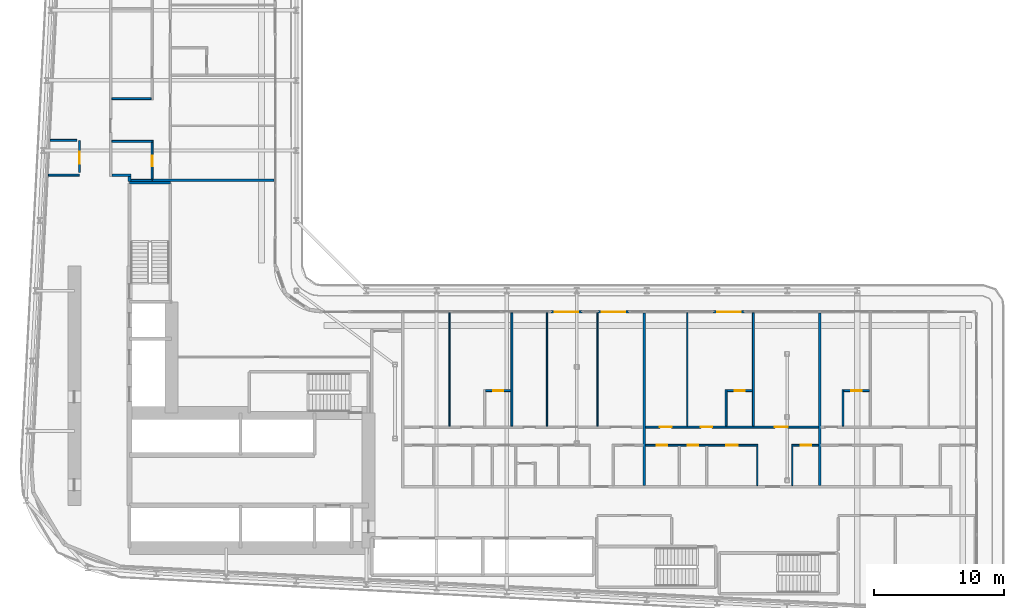
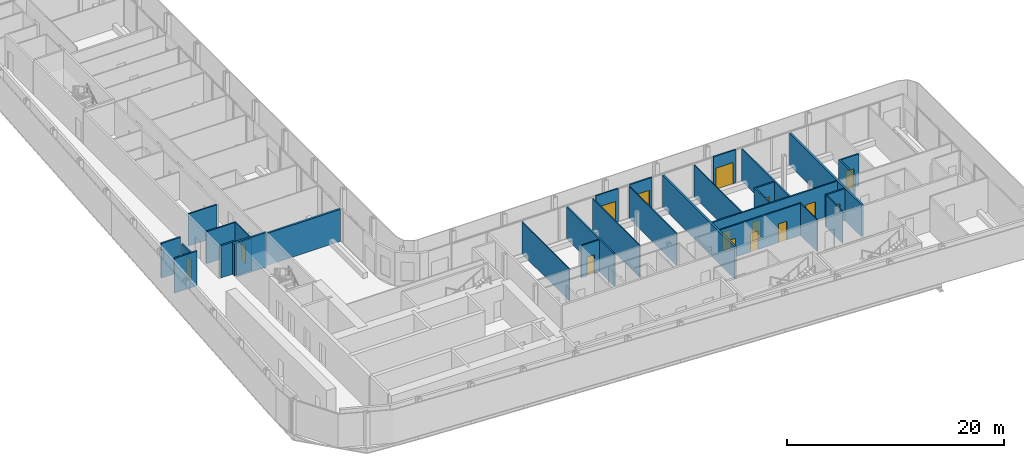
# One storey, part 17 of 29: 32 walls, 15 doors, 15 openings.
"""IFC4 building model written with IfcOpenShell, lengths in metres."""

from ifc_helpers import new_model, si_unit, direction, frame, frame_2d, origin, place, context, subcontext, project, spatial, rectangle, extrude, source, transform, mapped, material, layer, layer_set, type_object, element, fill, save


model = new_model("IFC4")

# Units and contexts
model_context = context("Model", 3, precision=1e-05, world=origin(), true_north=direction((0.0, 1.0)))
body_context = subcontext(model_context, "Body", "Model", "MODEL_VIEW")
ifc_project = project(units=[si_unit("LENGTHUNIT", "METRE"), si_unit("AREAUNIT", "SQUARE_METRE"), si_unit("VOLUMEUNIT", "CUBIC_METRE"), si_unit("PLANEANGLEUNIT", "RADIAN"), si_unit("MASSUNIT", "GRAM", prefix="KILO")], contexts=[model_context])

# Site, building, storey
site_placement = place(None, origin())
site = spatial("IfcSite", under=ifc_project, at=site_placement, CompositionType="ELEMENT")
building_placement = place(site_placement, origin())
building = spatial("IfcBuilding", under=site, at=building_placement, Name="Kheshtan School and Residences Tower", CompositionType="ELEMENT")
storey_placement = place(building_placement, frame((0.0, 0.0, 65.60009765625)))
storey = spatial("IfcBuildingStorey", under=building, at=storey_placement, Name="L15", CompositionType="ELEMENT", Elevation=65.60009765625)

# Walls
ifc_material_1 = material(Name="Gypsum board on steel studs with fire boards", Category="steel")
ifc_layer_1 = layer(ifc_material_1, 0.199951171875)
ifc_layer_set_1 = layer_set([ifc_layer_1], Name="Corridor wall 200")
wall_type_1 = type_object("IfcWallType", Name="Corridor wall 200", PredefinedType="PARTITIONING", material=ifc_layer_set_1)
wall_1_placement = place(storey_placement, frame((33.39990234375, 54.5, 0.0), z_axis=(0.0, 0.0, 1.0), x_axis=(1.0, 0.0, 0.0)))
element("IfcWall", 1, at=wall_1_placement, inside=storey, type_object=wall_type_1, Name="Partition L15-005", PredefinedType="PARTITIONING", context=body_context, shape_type="SweptSolid", body=[
    extrude(rectangle(XDim=1.4501953125, YDim=0.199951171875, at=frame_2d((0.72509765625, 0.0))), origin(), (0.0, 0.0, 1.0), 3.599853515625),
])
wall_2_placement = place(storey_placement, frame((34.75, 54.02490234375, 0.0), z_axis=(0.0, 0.0, 1.0), x_axis=(0.0, 1.0, 0.0)))
element("IfcWall", 2, at=wall_2_placement, inside=storey, type_object=wall_type_1, Name="Partition L15-015", PredefinedType="PARTITIONING", context=body_context, shape_type="SweptSolid", body=[
    extrude(rectangle(XDim=0.375, YDim=0.199951171875, at=frame_2d((0.1875, 0.0))), origin(), (0.0, 0.0, 1.0), 3.599853515625),
])

# Wall, opening, door
ifc_material_2 = material(Name="Aluminium frame wall with insulated infill", Category="aluminium")
ifc_layer_2 = layer(ifc_material_2, 0.14990234375)
ifc_layer_set_2 = layer_set([ifc_layer_2], Name="Glazing frame wall 150")
wall_type_2 = type_object("IfcWallType", Name="Glazing frame wall 150", PredefinedType="SOLIDWALL", material=ifc_layer_set_2)
wall_3_placement = place(storey_placement, frame((67.218017578125, 43.97509765625, 0.0), z_axis=(0.0, 0.0, 1.0), x_axis=(1.0, 0.0, 0.0)))
wall_3 = element("IfcWall", 3, at=wall_3_placement, inside=storey, type_object=wall_type_2, Name="Balcony door wall L15 12.2", PredefinedType="SOLIDWALL", context=body_context, shape_type="SweptSolid", body=[
    extrude(rectangle(XDim=2.39990234375, YDim=0.14990234375, at=frame_2d((1.199951171875, 0.0))), origin(), (0.0, 0.0, 1.0), 3.75),
])
opening_1_placement = place(wall_3_placement, frame((0.300048828125, 0.0, 0.0)))
opening_1 = element("IfcOpeningElement", 4, at=opening_1_placement, cuts=wall_3, Name="Opening BD", PredefinedType="OPENING", context=body_context, shape_type="SweptSolid", body=[
    extrude(rectangle(XDim=1.800048828125, YDim=2.39990234375, at=frame_2d((0.89990234375, 1.199951171875))), frame((0.0, 0.0849609375, 0.0), z_axis=(0.0, -1.0, 0.0), x_axis=(1.0, 0.0, 0.0)), (0.0, 0.0, 1.0), 0.169921875),
])
ifc_material_3 = material(Name="Clear low-e glass in thermally broken aluminium frame", Category="aluminium")
door_type_1 = type_object("IfcDoorType", Name="Balcony sliding door", OperationType="SLIDING_TO_LEFT", PredefinedType="DOOR", material=ifc_material_3)
shared_shape_1 = source(origin(), body_context, "Body", "SweptSolid", [
    extrude(rectangle(XDim=1.800048828125, YDim=2.39990234375, at=frame_2d((0.89990234375, 1.199951171875))), frame((0.0, 0.02490234375, 0.0), z_axis=(0.0, -1.0, 0.0), x_axis=(1.0, 0.0, 0.0)), (0.0, 0.0, 1.0), 0.050048828125),
])
door_1_placement = place(opening_1_placement, origin())
door_1 = element("IfcDoor", 5, at=door_1_placement, inside=storey, type_object=door_type_1, Name="Balcony door L15 12.2", OperationType="SLIDING_TO_LEFT", OverallHeight=2.39990234375, OverallWidth=1.800048828125, PredefinedType="DOOR", context=body_context, shape_type="MappedRepresentation", body=[
    mapped(shared_shape_1, transform((0.0, 0.0, 0.0), x_axis=(1.0, 0.0, 0.0), y_axis=(0.0, 1.0, 0.0), z_axis=(0.0, 0.0, 1.0), scale=1.0)),
])
fill(opening_1, door_1)

wall_4_placement = place(storey_placement, frame((70.818115234375, 43.97509765625, 0.0), z_axis=(0.0, 0.0, 1.0), x_axis=(1.0, 0.0, 0.0)))
wall_4 = element("IfcWall", 6, at=wall_4_placement, inside=storey, type_object=wall_type_2, Name="Balcony door wall L15 12.3", PredefinedType="SOLIDWALL", context=body_context, shape_type="SweptSolid", body=[
    extrude(rectangle(XDim=2.39990234375, YDim=0.14990234375, at=frame_2d((1.199951171875, 0.0))), origin(), (0.0, 0.0, 1.0), 3.75),
])
opening_2_placement = place(wall_4_placement, frame((0.300048828125, 0.0, 0.0)))
opening_2 = element("IfcOpeningElement", 7, at=opening_2_placement, cuts=wall_4, Name="Opening BD", PredefinedType="OPENING", context=body_context, shape_type="SweptSolid", body=[
    extrude(rectangle(XDim=1.800048828125, YDim=2.39990234375, at=frame_2d((0.89990234375, 1.199951171875))), frame((0.0, 0.0849609375, 0.0), z_axis=(0.0, -1.0, 0.0), x_axis=(1.0, 0.0, 0.0)), (0.0, 0.0, 1.0), 0.169921875),
])
door_2_placement = place(opening_2_placement, origin())
door_2 = element("IfcDoor", 8, at=door_2_placement, inside=storey, type_object=door_type_1, Name="Balcony door L15 12.3", OperationType="SLIDING_TO_LEFT", OverallHeight=2.39990234375, OverallWidth=1.800048828125, PredefinedType="DOOR", context=body_context, shape_type="MappedRepresentation", body=[
    mapped(shared_shape_1, transform((0.0, 0.0, 0.0), x_axis=(1.0, 0.0, 0.0), y_axis=(0.0, 1.0, 0.0), z_axis=(0.0, 0.0, 1.0), scale=1.0)),
])
fill(opening_2, door_2)

wall_5_placement = place(storey_placement, frame((79.7119140625, 43.97509765625, 0.0), z_axis=(0.0, 0.0, 1.0), x_axis=(1.0, 0.0, 0.0)))
wall_5 = element("IfcWall", 9, at=wall_5_placement, inside=storey, type_object=wall_type_2, Name="Balcony door wall L15 12.4", PredefinedType="SOLIDWALL", context=body_context, shape_type="SweptSolid", body=[
    extrude(rectangle(XDim=2.400146484375, YDim=0.14990234375, at=frame_2d((1.2001953125, 0.0))), origin(), (0.0, 0.0, 1.0), 3.75),
])
opening_3_placement = place(wall_5_placement, frame((0.300048828125, 0.0, 0.0)))
opening_3 = element("IfcOpeningElement", 10, at=opening_3_placement, cuts=wall_5, Name="Opening BD", PredefinedType="OPENING", context=body_context, shape_type="SweptSolid", body=[
    extrude(rectangle(XDim=1.800048828125, YDim=2.39990234375, at=frame_2d((0.89990234375, 1.199951171875))), frame((0.0, 0.0849609375, 0.0), z_axis=(0.0, -1.0, 0.0), x_axis=(1.0, 0.0, 0.0)), (0.0, 0.0, 1.0), 0.169921875),
])
door_3_placement = place(opening_3_placement, origin())
door_3 = element("IfcDoor", 11, at=door_3_placement, inside=storey, type_object=door_type_1, Name="Balcony door L15 12.4", OperationType="SLIDING_TO_LEFT", OverallHeight=2.39990234375, OverallWidth=1.800048828125, PredefinedType="DOOR", context=body_context, shape_type="MappedRepresentation", body=[
    mapped(shared_shape_1, transform((0.0, 0.0, 0.0), x_axis=(1.0, 0.0, 0.0), y_axis=(0.0, 1.0, 0.0), z_axis=(0.0, 0.0, 1.0), scale=1.0)),
])
fill(opening_3, door_3)

# Walls
ifc_material_4 = material(Name="Gypsum board on steel studs", Category="steel")
ifc_layer_3 = layer(ifc_material_4, 0.10009765625)
ifc_layer_set_3 = layer_set([ifc_layer_3], Name="Gypsum partition 100")
wall_type_3 = type_object("IfcWallType", Name="Gypsum partition 100", PredefinedType="PARTITIONING", material=ifc_layer_set_3)
for number, where, z_axis, x_axis, name in (
    (12, (59.39990234375, 35.175048828125, 0.0), (0.0, 0.0, 1.0), (0.0, 1.0, 0.0), "Partition L15-045"),
    (13, (66.89990234375, 35.175048828125, 0.0), (0.0, 0.0, 1.0), (0.0, 1.0, 0.0), "Partition L15-054"),
    (14, (70.800048828125, 35.175048828125, 0.0), (0.0, 0.0, 1.0), (0.0, 1.0, 0.0), "Partition L15-057"),
    (15, (77.699951171875, 35.175048828125, 0.0), (0.0, 0.0, 1.0), (0.0, 1.0, 0.0), "Partition L15-064"),
):
    element("IfcWall", number, at=place(storey_placement, frame(where, z_axis=z_axis, x_axis=x_axis)), inside=storey, type_object=wall_type_3, Name=name, PredefinedType="PARTITIONING", context=body_context, shape_type="SweptSolid", body=[
        extrude(rectangle(XDim=8.724853515625, YDim=0.10009765625, at=frame_2d((4.3623046875, 0.0))), origin(), (0.0, 0.0, 1.0), 3.599853515625),
    ])
for number, where, z_axis, x_axis, name in (
    (16, (83.10009765625, 30.60009765625, 0.0), (0.0, 0.0, 1.0), (0.0, 1.0, 0.0), "Partition L15-069"),
    (17, (85.800048828125, 30.60009765625, 0.0), (0.0, 0.0, 1.0), (0.0, 1.0, 0.0), "Partition L15-071"),
):
    element("IfcWall", number, at=place(storey_placement, frame(where, z_axis=z_axis, x_axis=x_axis)), inside=storey, type_object=wall_type_3, Name=name, PredefinedType="PARTITIONING", context=body_context, shape_type="SweptSolid", body=[
        extrude(rectangle(XDim=3.02490234375, YDim=0.10009765625, at=frame_2d((1.512451171875, 0.0))), origin(), (0.0, 0.0, 1.0), 3.599853515625),
    ])
ifc_material_5 = material(Name="Fire-board shaft wall system")
ifc_layer_4 = layer(ifc_material_5, 0.14990234375)
ifc_layer_set_4 = layer_set([ifc_layer_4], Name="Service room wall 150")
wall_type_4 = type_object("IfcWallType", Name="Service room wall 150", PredefinedType="PARTITIONING", material=ifc_layer_set_4)
wall_6_placement = place(storey_placement, frame((28.508056640625, 54.5, 0.0), z_axis=(0.0, 0.0, 1.0), x_axis=(1.0, 0.0, 0.0)))
element("IfcWall", 18, at=wall_6_placement, inside=storey, type_object=wall_type_4, Name="Service room wall", PredefinedType="PARTITIONING", context=body_context, shape_type="SweptSolid", body=[
    extrude(rectangle(XDim=2.391845703125, YDim=0.14990234375, at=frame_2d((1.19580078125, 0.0))), origin(), (0.0, 0.0, 1.0), 3.89990234375),
])

# Wall, opening, door
wall_7_placement = place(storey_placement, frame((30.89990234375, 54.695068359375, 0.0), z_axis=(0.0, 0.0, 1.0), x_axis=(0.0, 1.0, 0.0)))
wall_7 = element("IfcWall", 19, at=wall_7_placement, inside=storey, type_object=wall_type_4, Name="Service room wall", PredefinedType="PARTITIONING", context=body_context, shape_type="SweptSolid", body=[
    extrude(rectangle(XDim=2.48681640625, YDim=0.14990234375, at=frame_2d((1.243408203125, 0.0))), origin(), (0.0, 0.0, 1.0), 3.072021484375),
])
opening_4_placement = place(wall_7_placement, frame((0.696044921875, 0.0, 0.0)))
opening_4 = element("IfcOpeningElement", 20, at=opening_4_placement, cuts=wall_7, Name="Opening SR90", PredefinedType="OPENING", context=body_context, shape_type="SweptSolid", body=[
    extrude(rectangle(XDim=0.89990234375, YDim=2.199951171875, at=frame_2d((0.449951171875, 1.10009765625))), frame((0.0, 0.0849609375, 0.0), z_axis=(0.0, -1.0, 0.0), x_axis=(1.0, 0.0, 0.0)), (0.0, 0.0, 1.0), 0.169921875),
])
ifc_material_6 = material(Name="Steel door leaf, galvanised", Category="steel")
door_type_2 = type_object("IfcDoorType", Name="Service room door 900 steel 90 min", OperationType="SINGLE_SWING_LEFT", PredefinedType="DOOR", material=ifc_material_6)
shared_shape_2 = source(origin(), body_context, "Body", "SweptSolid", [
    extrude(rectangle(XDim=0.89990234375, YDim=2.199951171875, at=frame_2d((0.449951171875, 1.10009765625))), frame((0.0, 0.02490234375, 0.0), z_axis=(0.0, -1.0, 0.0), x_axis=(1.0, 0.0, 0.0)), (0.0, 0.0, 1.0), 0.050048828125),
])
door_4_placement = place(opening_4_placement, origin())
door_4 = element("IfcDoor", 21, at=door_4_placement, inside=storey, type_object=door_type_2, Name="Service room door", OperationType="SINGLE_SWING_LEFT", OverallHeight=2.199951171875, OverallWidth=0.89990234375, PredefinedType="DOOR", context=body_context, shape_type="MappedRepresentation", body=[
    mapped(shared_shape_2, transform((0.0, 0.0, 0.0), x_axis=(1.0, 0.0, 0.0), y_axis=(0.0, 1.0, 0.0), z_axis=(0.0, 0.0, 1.0), scale=1.0)),
])
fill(opening_4, door_4)

# Walls
wall_8_placement = place(storey_placement, frame((28.64892578125, 57.181884765625, 0.0), z_axis=(0.0, 0.0, 1.0), x_axis=(1.0, 0.0, 0.0)))
element("IfcWall", 22, at=wall_8_placement, inside=storey, type_object=wall_type_4, Name="Service room wall", PredefinedType="PARTITIONING", context=body_context, shape_type="SweptSolid", body=[
    extrude(rectangle(XDim=2.05615234375, YDim=0.14990234375, at=frame_2d((1.028076171875, 0.0))), origin(), (0.0, 0.0, 1.0), 3.89990234375),
])
ifc_material_7 = material(Name="Concrete C40/50", Category="concrete")
ifc_layer_5 = layer(ifc_material_7, 0.199951171875)
ifc_layer_set_5 = layer_set([ifc_layer_5], Name="Stair enclosure wall 200 Concrete C40/50")
wall_type_5 = type_object("IfcWallType", Name="Stair enclosure wall 200 Concrete C40/50", PredefinedType="SHEAR", material=ifc_layer_set_5)
wall_9_placement = place(storey_placement, frame((34.75, 53.909912109375, 0.0), z_axis=(0.0, 0.0, 1.0), x_axis=(1.0, 0.0, 0.0)))
element("IfcWall", 23, at=wall_9_placement, inside=storey, type_object=wall_type_5, Name="Stair enclosure wall ST2", PredefinedType="SHEAR", context=body_context, shape_type="SweptSolid", body=[
    extrude(rectangle(XDim=3.14990234375, YDim=0.199951171875, at=frame_2d((1.574951171875, 0.0))), origin(), (0.0, 0.0, 1.0), 3.89990234375),
])
ifc_material_8 = material(Name="Twin gypsum board on steel studs with mineral wool", Category="steel")
ifc_layer_6 = layer(ifc_material_8, 0.199951171875)
ifc_layer_set_6 = layer_set([ifc_layer_6], Name="Unit demising wall 200")
wall_type_6 = type_object("IfcWallType", Name="Unit demising wall 200", PredefinedType="PARTITIONING", material=ifc_layer_set_6)
wall_10_placement = place(storey_placement, frame((36.5, 54.10009765625, 0.0), z_axis=(0.0, 0.0, 1.0), x_axis=(1.0, 0.0, 0.0)))
element("IfcWall", 24, at=wall_10_placement, inside=storey, type_object=wall_type_6, Name="Partition L15-019", PredefinedType="PARTITIONING", context=body_context, shape_type="SweptSolid", body=[
    extrude(rectangle(XDim=9.39990234375, YDim=0.199951171875, at=frame_2d((4.699951171875, 0.0))), origin(), (0.0, 0.0, 1.0), 3.599853515625),
])
for number, where, z_axis, x_axis, name in (
    (25, (74.39990234375, 30.60009765625, 0.0), (0.0, 0.0, 1.0), (0.0, 1.0, 0.0), "Partition L15-060"),
    (26, (87.89990234375, 30.60009765625, 0.0), (0.0, 0.0, 1.0), (0.0, 1.0, 0.0), "Partition L15-072"),
):
    element("IfcWall", number, at=place(storey_placement, frame(where, z_axis=z_axis, x_axis=x_axis)), inside=storey, type_object=wall_type_6, Name=name, PredefinedType="PARTITIONING", context=body_context, shape_type="SweptSolid", body=[
        extrude(rectangle(XDim=13.2998046875, YDim=0.199951171875, at=frame_2d((6.64990234375, 0.0))), origin(), (0.0, 0.0, 1.0), 3.599853515625),
    ])
ifc_material_9 = material(Name="Moisture-resistant gypsum board on steel studs", Category="steel")
ifc_layer_7 = layer(ifc_material_9, 0.14990234375)
ifc_layer_set_7 = layer_set([ifc_layer_7], Name="Wet-room partition 150")
wall_type_7 = type_object("IfcWallType", Name="Wet-room partition 150", PredefinedType="PARTITIONING", material=ifc_layer_set_7)
wall_11_placement = place(storey_placement, frame((33.39990234375, 57.10009765625, 0.0), z_axis=(0.0, 0.0, 1.0), x_axis=(1.0, 0.0, 0.0)))
element("IfcWall", 27, at=wall_11_placement, inside=storey, type_object=wall_type_7, Name="Partition L15-006", PredefinedType="PARTITIONING", context=body_context, shape_type="SweptSolid", body=[
    extrude(rectangle(XDim=3.175048828125, YDim=0.14990234375, at=frame_2d((1.58740234375, 0.0))), origin(), (0.0, 0.0, 1.0), 3.599853515625),
])
wall_12_placement = place(storey_placement, frame((33.39990234375, 60.39990234375, 0.0), z_axis=(0.0, 0.0, 1.0), x_axis=(1.0, 0.0, 0.0)))
element("IfcWall", 28, at=wall_12_placement, inside=storey, type_object=wall_type_7, Name="Partition L15-007", PredefinedType="PARTITIONING", context=body_context, shape_type="SweptSolid", body=[
    extrude(rectangle(XDim=3.025146484375, YDim=0.14990234375, at=frame_2d((1.5126953125, 0.0))), origin(), (0.0, 0.0, 1.0), 3.599853515625),
])
wall_13_placement = place(storey_placement, frame((34.85009765625, 54.10009765625, 0.0), z_axis=(0.0, 0.0, 1.0), x_axis=(1.0, 0.0, 0.0)))
element("IfcWall", 29, at=wall_13_placement, inside=storey, type_object=wall_type_7, Name="Partition L15-016", PredefinedType="PARTITIONING", context=body_context, shape_type="SweptSolid", body=[
    extrude(rectangle(XDim=1.64990234375, YDim=0.14990234375, at=frame_2d((0.824951171875, 0.0))), origin(), (0.0, 0.0, 1.0), 3.599853515625),
])

# Wall, opening, door
wall_14_placement = place(storey_placement, frame((36.5, 54.199951171875, 0.0), z_axis=(0.0, 0.0, 1.0), x_axis=(0.0, 1.0, 0.0)))
wall_14 = element("IfcWall", 30, at=wall_14_placement, inside=storey, type_object=wall_type_7, Name="Partition L15-020", PredefinedType="PARTITIONING", context=body_context, shape_type="SweptSolid", body=[
    extrude(rectangle(XDim=2.824951171875, YDim=0.14990234375, at=frame_2d((1.41259765625, 0.0))), origin(), (0.0, 0.0, 1.0), 3.599853515625),
])
opening_5_placement = place(wall_14_placement, frame((1.0, 0.0, 0.0)))
opening_5 = element("IfcOpeningElement", 31, at=opening_5_placement, cuts=wall_14, Name="Opening D14-033", PredefinedType="OPENING", context=body_context, shape_type="SweptSolid", body=[
    extrude(rectangle(XDim=0.800048828125, YDim=2.10009765625, at=frame_2d((0.39990234375, 1.050048828125))), frame((0.0, 0.0849609375, 0.0), z_axis=(0.0, -1.0, 0.0), x_axis=(1.0, 0.0, 0.0)), (0.0, 0.0, 1.0), 0.169921875),
])
ifc_material_10 = material(Name="Veneered timber door leaf", Category="wood")
door_type_3 = type_object("IfcDoorType", Name="Door 800 x 2100", OperationType="SINGLE_SWING_LEFT", PredefinedType="DOOR", material=ifc_material_10)
shared_shape_3 = source(origin(), body_context, "Body", "SweptSolid", [
    extrude(rectangle(XDim=0.800048828125, YDim=2.10009765625, at=frame_2d((0.39990234375, 1.050048828125))), frame((0.0, 0.02490234375, 0.0), z_axis=(0.0, -1.0, 0.0), x_axis=(1.0, 0.0, 0.0)), (0.0, 0.0, 1.0), 0.050048828125),
])
door_5_placement = place(opening_5_placement, origin())
door_5 = element("IfcDoor", 32, at=door_5_placement, inside=storey, type_object=door_type_3, Name="Door D14-033", OperationType="SINGLE_SWING_RIGHT", OverallHeight=2.10009765625, OverallWidth=0.800048828125, PredefinedType="DOOR", context=body_context, shape_type="MappedRepresentation", body=[
    mapped(shared_shape_3, transform((0.0, 0.0, 0.0), x_axis=(1.0, 0.0, 0.0), y_axis=(0.0, 1.0, 0.0), z_axis=(0.0, 0.0, 1.0), scale=1.0)),
])
fill(opening_5, door_5)

wall_15_placement = place(storey_placement, frame((62.175048828125, 37.89990234375, 0.0), z_axis=(0.0, 0.0, 1.0), x_axis=(1.0, 0.0, 0.0)))
wall_15 = element("IfcWall", 33, at=wall_15_placement, inside=storey, type_object=wall_type_7, Name="Partition L15-048", PredefinedType="PARTITIONING", context=body_context, shape_type="SweptSolid", body=[
    extrude(rectangle(XDim=1.949951171875, YDim=0.14990234375, at=frame_2d((0.97509765625, 0.0))), origin(), (0.0, 0.0, 1.0), 3.599853515625),
])
opening_6_placement = place(wall_15_placement, frame((0.574951171875, 0.0, 0.0)))
opening_6 = element("IfcOpeningElement", 34, at=opening_6_placement, cuts=wall_15, Name="Opening D14-006", PredefinedType="OPENING", context=body_context, shape_type="SweptSolid", body=[
    extrude(rectangle(XDim=0.800048828125, YDim=2.10009765625, at=frame_2d((0.39990234375, 1.050048828125))), frame((0.0, 0.0849609375, 0.0), z_axis=(0.0, -1.0, 0.0), x_axis=(1.0, 0.0, 0.0)), (0.0, 0.0, 1.0), 0.169921875),
])
door_6_placement = place(opening_6_placement, origin())
door_6 = element("IfcDoor", 35, at=door_6_placement, inside=storey, type_object=door_type_3, Name="Door D14-006", OperationType="SINGLE_SWING_LEFT", OverallHeight=2.10009765625, OverallWidth=0.800048828125, PredefinedType="DOOR", context=body_context, shape_type="MappedRepresentation", body=[
    mapped(shared_shape_3, transform((0.0, 0.0, 0.0), x_axis=(1.0, 0.0, 0.0), y_axis=(0.0, 1.0, 0.0), z_axis=(0.0, 0.0, 1.0), scale=1.0)),
])
fill(opening_6, door_6)

# Wall
wall_16_placement = place(storey_placement, frame((64.199951171875, 35.175048828125, 0.0), z_axis=(0.0, 0.0, 1.0), x_axis=(0.0, 1.0, 0.0)))
element("IfcWall", 36, at=wall_16_placement, inside=storey, type_object=wall_type_7, Name="Partition L15-050", PredefinedType="PARTITIONING", context=body_context, shape_type="SweptSolid", body=[
    extrude(rectangle(XDim=8.724853515625, YDim=0.14990234375, at=frame_2d((4.3623046875, 0.0))), origin(), (0.0, 0.0, 1.0), 3.599853515625),
])

# Wall, openings, doors
wall_17_placement = place(storey_placement, frame((74.5, 33.699951171875, 0.0), z_axis=(0.0, 0.0, 1.0), x_axis=(1.0, 0.0, 0.0)))
wall_17 = element("IfcWall", 37, at=wall_17_placement, inside=storey, type_object=wall_type_7, Name="Partition L15-061", PredefinedType="PARTITIONING", context=body_context, shape_type="SweptSolid", body=[
    extrude(rectangle(XDim=8.64990234375, YDim=0.14990234375, at=frame_2d((4.324951171875, 0.0))), origin(), (0.0, 0.0, 1.0), 3.599853515625),
])
opening_7_placement = place(wall_17_placement, frame((0.85009765625, 0.0, 0.0)))
opening_7 = element("IfcOpeningElement", 38, at=opening_7_placement, cuts=wall_17, Name="Opening D14-016", PredefinedType="OPENING", context=body_context, shape_type="SweptSolid", body=[
    extrude(rectangle(XDim=0.800048828125, YDim=2.10009765625, at=frame_2d((0.39990234375, 1.050048828125))), frame((0.0, 0.0849609375, 0.0), z_axis=(0.0, -1.0, 0.0), x_axis=(1.0, 0.0, 0.0)), (0.0, 0.0, 1.0), 0.169921875),
])
opening_8_placement = place(wall_17_placement, frame((6.199951171875, 0.0, 0.0)))
opening_8 = element("IfcOpeningElement", 39, at=opening_8_placement, cuts=wall_17, Name="Opening D14-020", PredefinedType="OPENING", context=body_context, shape_type="SweptSolid", body=[
    extrude(rectangle(XDim=0.89990234375, YDim=2.10009765625, at=frame_2d((0.449951171875, 1.050048828125))), frame((0.0, 0.0849609375, 0.0), z_axis=(0.0, -1.0, 0.0), x_axis=(1.0, 0.0, 0.0)), (0.0, 0.0, 1.0), 0.169921875),
])
opening_9_placement = place(wall_17_placement, frame((3.25, 0.0, 0.0)))
opening_9 = element("IfcOpeningElement", 40, at=opening_9_placement, cuts=wall_17, Name="Opening D14-024", PredefinedType="OPENING", context=body_context, shape_type="SweptSolid", body=[
    extrude(rectangle(XDim=0.800048828125, YDim=2.10009765625, at=frame_2d((0.39990234375, 1.050048828125))), frame((0.0, 0.0849609375, 0.0), z_axis=(0.0, -1.0, 0.0), x_axis=(1.0, 0.0, 0.0)), (0.0, 0.0, 1.0), 0.169921875),
])
door_7_placement = place(opening_7_placement, origin())
door_7 = element("IfcDoor", 41, at=door_7_placement, inside=storey, type_object=door_type_3, Name="Door D14-016", OperationType="SINGLE_SWING_LEFT", OverallHeight=2.10009765625, OverallWidth=0.800048828125, PredefinedType="DOOR", context=body_context, shape_type="MappedRepresentation", body=[
    mapped(shared_shape_3, transform((0.0, 0.0, 0.0), x_axis=(1.0, 0.0, 0.0), y_axis=(0.0, 1.0, 0.0), z_axis=(0.0, 0.0, 1.0), scale=1.0)),
])
fill(opening_7, door_7)
door_8_placement = place(opening_9_placement, origin())
door_8 = element("IfcDoor", 42, at=door_8_placement, inside=storey, type_object=door_type_3, Name="Door D14-024", OperationType="SINGLE_SWING_LEFT", OverallHeight=2.10009765625, OverallWidth=0.800048828125, PredefinedType="DOOR", context=body_context, shape_type="MappedRepresentation", body=[
    mapped(shared_shape_3, transform((0.0, 0.0, 0.0), x_axis=(1.0, 0.0, 0.0), y_axis=(0.0, 1.0, 0.0), z_axis=(0.0, 0.0, 1.0), scale=1.0)),
])
fill(opening_9, door_8)
door_type_4 = type_object("IfcDoorType", Name="Door 900 x 2100", OperationType="SINGLE_SWING_LEFT", PredefinedType="DOOR", material=ifc_material_10)
shared_shape_4 = source(origin(), body_context, "Body", "SweptSolid", [
    extrude(rectangle(XDim=0.89990234375, YDim=2.10009765625, at=frame_2d((0.449951171875, 1.050048828125))), frame((0.0, 0.02490234375, 0.0), z_axis=(0.0, -1.0, 0.0), x_axis=(1.0, 0.0, 0.0)), (0.0, 0.0, 1.0), 0.050048828125),
])
door_9_placement = place(opening_8_placement, origin())
door_9 = element("IfcDoor", 43, at=door_9_placement, inside=storey, type_object=door_type_4, Name="Door D14-020", OperationType="SINGLE_SWING_LEFT", OverallHeight=2.10009765625, OverallWidth=0.89990234375, PredefinedType="DOOR", context=body_context, shape_type="MappedRepresentation", body=[
    mapped(shared_shape_4, transform((0.0, 0.0, 0.0), x_axis=(1.0, 0.0, 0.0), y_axis=(0.0, 1.0, 0.0), z_axis=(0.0, 0.0, 1.0), scale=1.0)),
])
fill(opening_8, door_9)

wall_18_placement = place(storey_placement, frame((74.5, 35.10009765625, 0.0), z_axis=(0.0, 0.0, 1.0), x_axis=(1.0, 0.0, 0.0)))
wall_18 = element("IfcWall", 44, at=wall_18_placement, inside=storey, type_object=wall_type_7, Name="Partition L15-062", PredefinedType="PARTITIONING", context=body_context, shape_type="SweptSolid", body=[
    extrude(rectangle(XDim=13.300048828125, YDim=0.14990234375, at=frame_2d((6.64990234375, 0.0))), origin(), (0.0, 0.0, 1.0), 3.599853515625),
])
opening_10_placement = place(wall_18_placement, frame((1.10009765625, 0.0, 0.0)))
opening_10 = element("IfcOpeningElement", 45, at=opening_10_placement, cuts=wall_18, Name="Opening D14-017", PredefinedType="OPENING", context=body_context, shape_type="SweptSolid", body=[
    extrude(rectangle(XDim=0.89990234375, YDim=2.10009765625, at=frame_2d((0.449951171875, 1.050048828125))), frame((0.0, 0.0849609375, 0.0), z_axis=(0.0, -1.0, 0.0), x_axis=(1.0, 0.0, 0.0)), (0.0, 0.0, 1.0), 0.169921875),
])
opening_11_placement = place(wall_18_placement, frame((9.949951171875, 0.0, 0.0)))
opening_11 = element("IfcOpeningElement", 46, at=opening_11_placement, cuts=wall_18, Name="Opening D14-021", PredefinedType="OPENING", context=body_context, shape_type="SweptSolid", body=[
    extrude(rectangle(XDim=1.0, YDim=2.10009765625, at=frame_2d((0.5, 1.050048828125))), frame((0.0, 0.0849609375, 0.0), z_axis=(0.0, -1.0, 0.0), x_axis=(1.0, 0.0, 0.0)), (0.0, 0.0, 1.0), 0.169921875),
])
opening_12_placement = place(wall_18_placement, frame((4.25, 0.0, 0.0)))
opening_12 = element("IfcOpeningElement", 47, at=opening_12_placement, cuts=wall_18, Name="Opening D14-022", PredefinedType="OPENING", context=body_context, shape_type="SweptSolid", body=[
    extrude(rectangle(XDim=0.89990234375, YDim=2.10009765625, at=frame_2d((0.449951171875, 1.050048828125))), frame((0.0, 0.0849609375, 0.0), z_axis=(0.0, -1.0, 0.0), x_axis=(1.0, 0.0, 0.0)), (0.0, 0.0, 1.0), 0.169921875),
])
door_type_5 = type_object("IfcDoorType", Name="Door 1000 x 2100", OperationType="SINGLE_SWING_LEFT", PredefinedType="DOOR", material=ifc_material_10)
shared_shape_5 = source(origin(), body_context, "Body", "SweptSolid", [
    extrude(rectangle(XDim=1.0, YDim=2.10009765625, at=frame_2d((0.5, 1.050048828125))), frame((0.0, 0.02490234375, 0.0), z_axis=(0.0, -1.0, 0.0), x_axis=(1.0, 0.0, 0.0)), (0.0, 0.0, 1.0), 0.050048828125),
])
door_10_placement = place(opening_11_placement, origin())
door_10 = element("IfcDoor", 48, at=door_10_placement, inside=storey, type_object=door_type_5, Name="Door D14-021", OperationType="SINGLE_SWING_LEFT", OverallHeight=2.10009765625, OverallWidth=1.0, PredefinedType="DOOR", context=body_context, shape_type="MappedRepresentation", body=[
    mapped(shared_shape_5, transform((0.0, 0.0, 0.0), x_axis=(1.0, 0.0, 0.0), y_axis=(0.0, 1.0, 0.0), z_axis=(0.0, 0.0, 1.0), scale=1.0)),
])
fill(opening_11, door_10)
door_11_placement = place(opening_10_placement, origin())
door_11 = element("IfcDoor", 49, at=door_11_placement, inside=storey, type_object=door_type_4, Name="Door D14-017", OperationType="SINGLE_SWING_RIGHT", OverallHeight=2.10009765625, OverallWidth=0.89990234375, PredefinedType="DOOR", context=body_context, shape_type="MappedRepresentation", body=[
    mapped(shared_shape_4, transform((0.0, 0.0, 0.0), x_axis=(1.0, 0.0, 0.0), y_axis=(0.0, 1.0, 0.0), z_axis=(0.0, 0.0, 1.0), scale=1.0)),
])
fill(opening_10, door_11)
door_12_placement = place(opening_12_placement, origin())
door_12 = element("IfcDoor", 50, at=door_12_placement, inside=storey, type_object=door_type_4, Name="Door D14-022", OperationType="SINGLE_SWING_LEFT", OverallHeight=2.10009765625, OverallWidth=0.89990234375, PredefinedType="DOOR", context=body_context, shape_type="MappedRepresentation", body=[
    mapped(shared_shape_4, transform((0.0, 0.0, 0.0), x_axis=(1.0, 0.0, 0.0), y_axis=(0.0, 1.0, 0.0), z_axis=(0.0, 0.0, 1.0), scale=1.0)),
])
fill(opening_12, door_12)

# Wall
wall_19_placement = place(storey_placement, frame((80.699951171875, 35.175048828125, 0.0), z_axis=(0.0, 0.0, 1.0), x_axis=(0.0, 1.0, 0.0)))
element("IfcWall", 51, at=wall_19_placement, inside=storey, type_object=wall_type_7, Name="Partition L15-066", PredefinedType="PARTITIONING", context=body_context, shape_type="SweptSolid", body=[
    extrude(rectangle(XDim=2.800048828125, YDim=0.14990234375, at=frame_2d((1.39990234375, 0.0))), origin(), (0.0, 0.0, 1.0), 3.599853515625),
])

# Wall, opening, door
wall_20_placement = place(storey_placement, frame((80.77490234375, 37.89990234375, 0.0), z_axis=(0.0, 0.0, 1.0), x_axis=(1.0, 0.0, 0.0)))
wall_20 = element("IfcWall", 52, at=wall_20_placement, inside=storey, type_object=wall_type_7, Name="Partition L15-067", PredefinedType="PARTITIONING", context=body_context, shape_type="SweptSolid", body=[
    extrude(rectangle(XDim=1.9501953125, YDim=0.14990234375, at=frame_2d((0.97509765625, 0.0))), origin(), (0.0, 0.0, 1.0), 3.599853515625),
])
opening_13_placement = place(wall_20_placement, frame((0.574951171875, 0.0, 0.0)))
opening_13 = element("IfcOpeningElement", 53, at=opening_13_placement, cuts=wall_20, Name="Opening D14-018", PredefinedType="OPENING", context=body_context, shape_type="SweptSolid", body=[
    extrude(rectangle(XDim=0.800048828125, YDim=2.10009765625, at=frame_2d((0.39990234375, 1.050048828125))), frame((0.0, 0.0849609375, 0.0), z_axis=(0.0, -1.0, 0.0), x_axis=(1.0, 0.0, 0.0)), (0.0, 0.0, 1.0), 0.169921875),
])
door_13_placement = place(opening_13_placement, origin())
door_13 = element("IfcDoor", 54, at=door_13_placement, inside=storey, type_object=door_type_3, Name="Door D14-018", OperationType="SINGLE_SWING_LEFT", OverallHeight=2.10009765625, OverallWidth=0.800048828125, PredefinedType="DOOR", context=body_context, shape_type="MappedRepresentation", body=[
    mapped(shared_shape_3, transform((0.0, 0.0, 0.0), x_axis=(1.0, 0.0, 0.0), y_axis=(0.0, 1.0, 0.0), z_axis=(0.0, 0.0, 1.0), scale=1.0)),
])
fill(opening_13, door_13)

# Wall
wall_21_placement = place(storey_placement, frame((82.800048828125, 35.175048828125, 0.0), z_axis=(0.0, 0.0, 1.0), x_axis=(0.0, 1.0, 0.0)))
element("IfcWall", 55, at=wall_21_placement, inside=storey, type_object=wall_type_7, Name="Partition L15-068", PredefinedType="PARTITIONING", context=body_context, shape_type="SweptSolid", body=[
    extrude(rectangle(XDim=8.724853515625, YDim=0.14990234375, at=frame_2d((4.3623046875, 0.0))), origin(), (0.0, 0.0, 1.0), 3.599853515625),
])

# Wall, opening, door
wall_22_placement = place(storey_placement, frame((85.75, 33.699951171875, 0.0), z_axis=(0.0, 0.0, 1.0), x_axis=(1.0, 0.0, 0.0)))
wall_22 = element("IfcWall", 56, at=wall_22_placement, inside=storey, type_object=wall_type_7, Name="Partition L15-070", PredefinedType="PARTITIONING", context=body_context, shape_type="SweptSolid", body=[
    extrude(rectangle(XDim=2.050048828125, YDim=0.14990234375, at=frame_2d((1.02490234375, 0.0))), origin(), (0.0, 0.0, 1.0), 3.599853515625),
])
opening_14_placement = place(wall_22_placement, frame((0.699951171875, 0.0, 0.0)))
opening_14 = element("IfcOpeningElement", 57, at=opening_14_placement, cuts=wall_22, Name="Opening D14-023", PredefinedType="OPENING", context=body_context, shape_type="SweptSolid", body=[
    extrude(rectangle(XDim=0.800048828125, YDim=2.10009765625, at=frame_2d((0.39990234375, 1.050048828125))), frame((0.0, 0.0849609375, 0.0), z_axis=(0.0, -1.0, 0.0), x_axis=(1.0, 0.0, 0.0)), (0.0, 0.0, 1.0), 0.169921875),
])
door_14_placement = place(opening_14_placement, origin())
door_14 = element("IfcDoor", 58, at=door_14_placement, inside=storey, type_object=door_type_3, Name="Door D14-023", OperationType="SINGLE_SWING_RIGHT", OverallHeight=2.10009765625, OverallWidth=0.800048828125, PredefinedType="DOOR", context=body_context, shape_type="MappedRepresentation", body=[
    mapped(shared_shape_3, transform((0.0, 0.0, 0.0), x_axis=(1.0, 0.0, 0.0), y_axis=(0.0, 1.0, 0.0), z_axis=(0.0, 0.0, 1.0), scale=1.0)),
])
fill(opening_14, door_14)

# Wall
wall_23_placement = place(storey_placement, frame((89.699951171875, 35.175048828125, 0.0), z_axis=(0.0, 0.0, 1.0), x_axis=(0.0, 1.0, 0.0)))
element("IfcWall", 59, at=wall_23_placement, inside=storey, type_object=wall_type_7, Name="Partition L15-075", PredefinedType="PARTITIONING", context=body_context, shape_type="SweptSolid", body=[
    extrude(rectangle(XDim=2.800048828125, YDim=0.14990234375, at=frame_2d((1.39990234375, 0.0))), origin(), (0.0, 0.0, 1.0), 3.599853515625),
])

# Wall, opening, door
wall_24_placement = place(storey_placement, frame((89.77490234375, 37.89990234375, 0.0), z_axis=(0.0, 0.0, 1.0), x_axis=(1.0, 0.0, 0.0)))
wall_24 = element("IfcWall", 60, at=wall_24_placement, inside=storey, type_object=wall_type_7, Name="Partition L15-076", PredefinedType="PARTITIONING", context=body_context, shape_type="SweptSolid", body=[
    extrude(rectangle(XDim=1.9501953125, YDim=0.14990234375, at=frame_2d((0.97509765625, 0.0))), origin(), (0.0, 0.0, 1.0), 3.599853515625),
])
opening_15_placement = place(wall_24_placement, frame((0.574951171875, 0.0, 0.0)))
opening_15 = element("IfcOpeningElement", 61, at=opening_15_placement, cuts=wall_24, Name="Opening D14-027", PredefinedType="OPENING", context=body_context, shape_type="SweptSolid", body=[
    extrude(rectangle(XDim=0.800048828125, YDim=2.10009765625, at=frame_2d((0.39990234375, 1.050048828125))), frame((0.0, 0.0849609375, 0.0), z_axis=(0.0, -1.0, 0.0), x_axis=(1.0, 0.0, 0.0)), (0.0, 0.0, 1.0), 0.169921875),
])
door_15_placement = place(opening_15_placement, origin())
door_15 = element("IfcDoor", 62, at=door_15_placement, inside=storey, type_object=door_type_3, Name="Door D14-027", OperationType="SINGLE_SWING_LEFT", OverallHeight=2.10009765625, OverallWidth=0.800048828125, PredefinedType="DOOR", context=body_context, shape_type="MappedRepresentation", body=[
    mapped(shared_shape_3, transform((0.0, 0.0, 0.0), x_axis=(1.0, 0.0, 0.0), y_axis=(0.0, 1.0, 0.0), z_axis=(0.0, 0.0, 1.0), scale=1.0)),
])
fill(opening_15, door_15)

save(model, "model.ifc")
